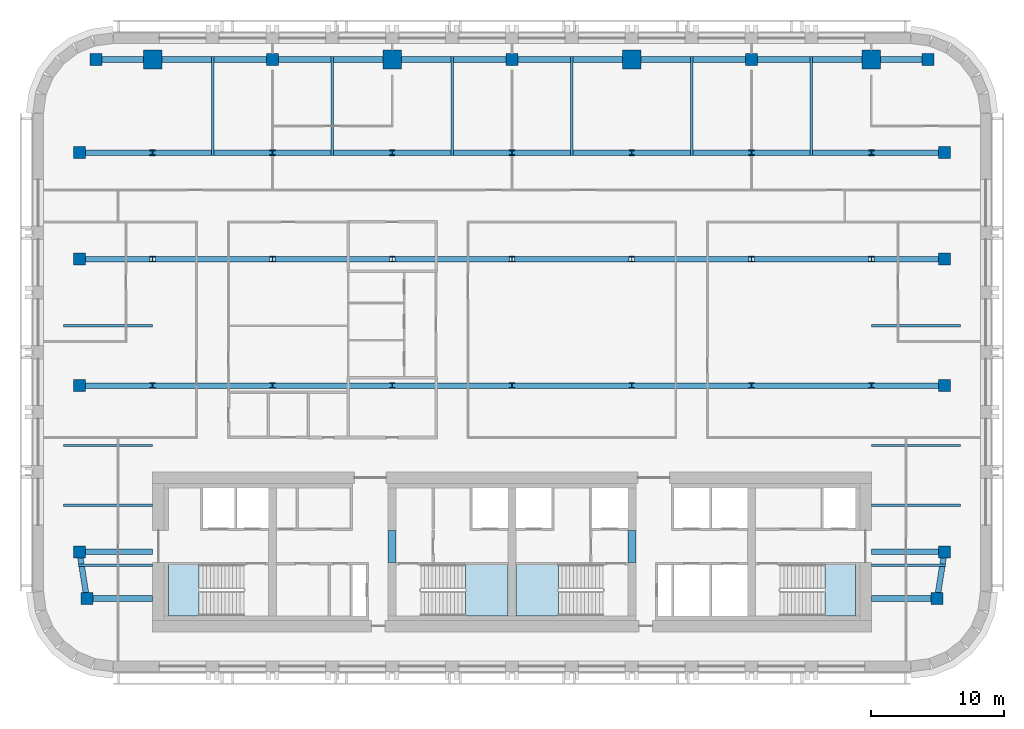
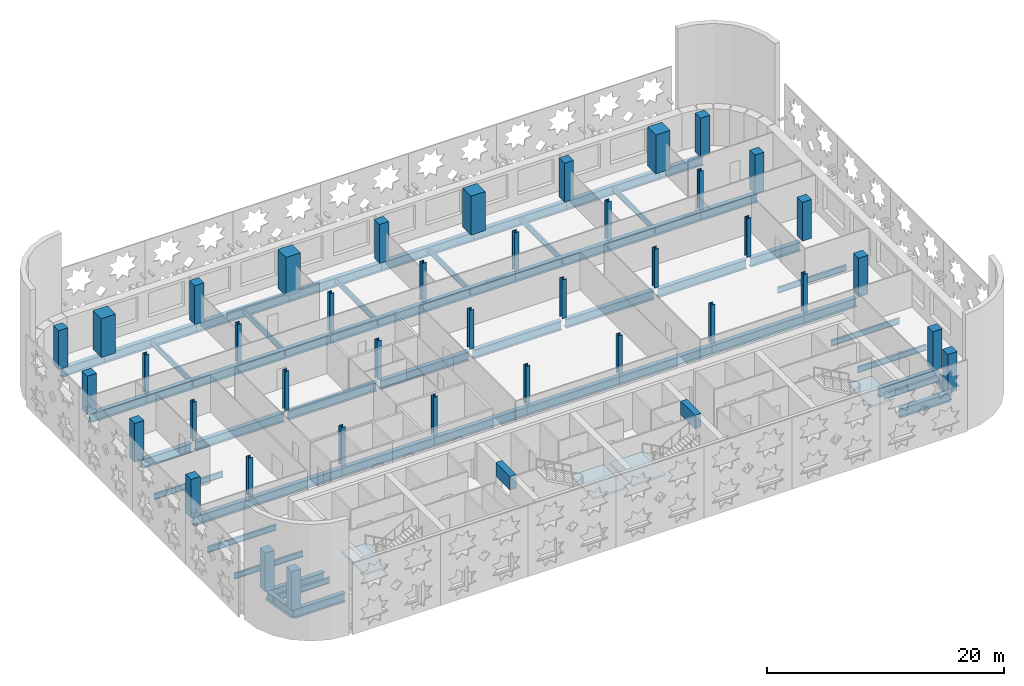
# One storey, part 1 of 14: 54 beams, 40 columns, 4 slabs, 4 elements without a shape of their own.
"""IFC4 building model written with IfcOpenShell, lengths in metres."""

from ifc_helpers import new_model, si_unit, direction, frame, origin, origin_2d, place, context, subcontext, project, spatial, polyline, rectangle, i_section, outline, extrude, material, layer, layer_set, material_profile, profile_set, type_object, element, aggregate, save


model = new_model("IFC4")

# Units and contexts
model_context = context("Model", 3, precision=1e-05, world=origin(), true_north=direction((0.0, 1.0)))
body_context = subcontext(model_context, "Body", "Model", "MODEL_VIEW")
ifc_project = project(units=[si_unit("LENGTHUNIT", "METRE"), si_unit("AREAUNIT", "SQUARE_METRE"), si_unit("VOLUMEUNIT", "CUBIC_METRE"), si_unit("PLANEANGLEUNIT", "RADIAN"), si_unit("MASSUNIT", "GRAM", prefix="KILO")], contexts=[model_context])

# Site, building, storey
site_placement = place(None, origin())
site = spatial("IfcSite", under=ifc_project, at=site_placement, CompositionType="ELEMENT")
building_placement = place(site_placement, origin())
building = spatial("IfcBuilding", under=site, at=building_placement, Name="Zellij Exchange Tower", CompositionType="ELEMENT")
storey_placement = place(building_placement, frame((0.0, 0.0, 164.5)))
storey = spatial("IfcBuildingStorey", under=building, at=storey_placement, Name="L37", CompositionType="ELEMENT", Elevation=164.5)

# Columns
ifc_material_1 = material(Name="Concrete C60/75", Category="concrete")
ifc_material_profile_1 = material_profile(ifc_material_1, rectangle(XDim=0.89990234375, YDim=0.89990234375, at=origin_2d()), Name="STR-COLUMN RC900x900 C60/75")
ifc_profile_set_1 = profile_set([ifc_material_profile_1], Name="Concrete C60/75")
column_type_1 = type_object("IfcColumnType", Name="STR-COLUMN RC900x900 C60/75", PredefinedType="COLUMN", material=ifc_profile_set_1)
for number, where, z_axis, x_axis, name in (
    (1, (-31.949951171875, -11.5, 0.0), (0.0, 0.0, 1.0), (1.0, 0.0, 0.0), "C16"),
    (2, (31.949951171875, -11.5, 0.0), (0.0, 0.0, 1.0), (1.0, 0.0, 0.0), "C16"),
    (3, (-32.5, -8.0, 0.0), (0.0, 0.0, 1.0), (1.0, 0.0, 0.0), "C16"),
    (4, (32.5, -8.0, 0.0), (0.0, 0.0, 1.0), (1.0, 0.0, 0.0), "C16"),
    (5, (-32.5, 4.5, 0.0), (0.0, 0.0, 1.0), (1.0, 0.0, 0.0), "C16"),
    (6, (32.5, 4.5, 0.0), (0.0, 0.0, 1.0), (1.0, 0.0, 0.0), "C16"),
    (7, (-32.5, 14.0, 0.0), (0.0, 0.0, 1.0), (1.0, 0.0, 0.0), "C16"),
    (8, (32.5, 14.0, 0.0), (0.0, 0.0, 1.0), (1.0, 0.0, 0.0), "C16"),
    (9, (-32.5, 22.0, 0.0), (0.0, 0.0, 1.0), (1.0, 0.0, 0.0), "C16"),
    (10, (32.5, 22.0, 0.0), (0.0, 0.0, 1.0), (1.0, 0.0, 0.0), "C16"),
    (11, (-31.25, 29.0, 0.0), (0.0, 0.0, 1.0), (1.0, 0.0, 0.0), "C16"),
    (12, (-18.0, 29.0, 0.0), (0.0, 0.0, 1.0), (1.0, 0.0, 0.0), "C16"),
    (13, (0.0, 29.0, 0.0), (0.0, 0.0, 1.0), (1.0, 0.0, 0.0), "C16"),
    (14, (18.0, 29.0, 0.0), (0.0, 0.0, 1.0), (1.0, 0.0, 0.0), "C16"),
    (15, (31.25, 29.0, 0.0), (0.0, 0.0, 1.0), (1.0, 0.0, 0.0), "C16"),
):
    element("IfcColumn", number, at=place(storey_placement, frame(where, z_axis=z_axis, x_axis=x_axis)), inside=storey, type_object=column_type_1, Name=name, PredefinedType="COLUMN", context=body_context, shape_type="SweptSolid", body=[
        extrude(rectangle(XDim=0.89990234375, YDim=0.89990234375, at=origin_2d()), origin(), (0.0, 0.0, 1.0), 4.0),
    ])
ifc_material_2 = material(Name="Structural steel ASTM A913 Gr 65", Category="steel")
ifc_material_profile_2 = material_profile(ifc_material_2, i_section(OverallWidth=0.408935546875, OverallDepth=0.424072265625, WebThickness=0.03271484375, FlangeThickness=0.052490234375, at=origin_2d()), Name="W14x283")
ifc_profile_set_2 = profile_set([ifc_material_profile_2], Name="Structural steel ASTM A913 Gr 65")
column_type_2 = type_object("IfcColumnType", Name="STR-COLUMN W14x283", PredefinedType="COLUMN", material=ifc_profile_set_2)
for number, where, z_axis, x_axis, name in (
    (16, (-27.0, 4.5, 0.0), (0.0, 0.0, 1.0), (1.0, 0.0, 0.0), "C3"),
    (17, (-18.0, 4.5, 0.0), (0.0, 0.0, 1.0), (1.0, 0.0, 0.0), "C3"),
    (18, (-9.0, 4.5, 0.0), (0.0, 0.0, 1.0), (1.0, 0.0, 0.0), "C3"),
    (19, (0.0, 4.5, 0.0), (0.0, 0.0, 1.0), (1.0, 0.0, 0.0), "C3"),
    (20, (9.0, 4.5, 0.0), (0.0, 0.0, 1.0), (1.0, 0.0, 0.0), "C3"),
    (21, (18.0, 4.5, 0.0), (0.0, 0.0, 1.0), (1.0, 0.0, 0.0), "C3"),
    (22, (27.0, 4.5, 0.0), (0.0, 0.0, 1.0), (1.0, 0.0, 0.0), "C3"),
    (23, (-27.0, 14.0, 0.0), (0.0, 0.0, 1.0), (1.0, 0.0, 0.0), "C3"),
    (24, (-18.0, 14.0, 0.0), (0.0, 0.0, 1.0), (1.0, 0.0, 0.0), "C3"),
    (25, (-9.0, 14.0, 0.0), (0.0, 0.0, 1.0), (1.0, 0.0, 0.0), "C3"),
    (26, (0.0, 14.0, 0.0), (0.0, 0.0, 1.0), (1.0, 0.0, 0.0), "C3"),
    (27, (9.0, 14.0, 0.0), (0.0, 0.0, 1.0), (1.0, 0.0, 0.0), "C3"),
    (28, (18.0, 14.0, 0.0), (0.0, 0.0, 1.0), (1.0, 0.0, 0.0), "C3"),
    (29, (27.0, 14.0, 0.0), (0.0, 0.0, 1.0), (1.0, 0.0, 0.0), "C3"),
    (30, (-27.0, 22.0, 0.0), (0.0, 0.0, 1.0), (1.0, 0.0, 0.0), "C3"),
    (31, (-18.0, 22.0, 0.0), (0.0, 0.0, 1.0), (1.0, 0.0, 0.0), "C3"),
    (32, (-9.0, 22.0, 0.0), (0.0, 0.0, 1.0), (1.0, 0.0, 0.0), "C3"),
    (33, (0.0, 22.0, 0.0), (0.0, 0.0, 1.0), (1.0, 0.0, 0.0), "C3"),
    (34, (9.0, 22.0, 0.0), (0.0, 0.0, 1.0), (1.0, 0.0, 0.0), "C3"),
    (35, (18.0, 22.0, 0.0), (0.0, 0.0, 1.0), (1.0, 0.0, 0.0), "C3"),
    (36, (27.0, 22.0, 0.0), (0.0, 0.0, 1.0), (1.0, 0.0, 0.0), "C3"),
):
    element("IfcColumn", number, at=place(storey_placement, frame(where, z_axis=z_axis, x_axis=x_axis)), inside=storey, type_object=column_type_2, Name=name, PredefinedType="COLUMN", context=body_context, shape_type="SweptSolid", body=[
        extrude(i_section(OverallWidth=0.408935546875, OverallDepth=0.424072265625, WebThickness=0.03271484375, FlangeThickness=0.052490234375, at=origin_2d()), origin(), (0.0, 0.0, 1.0), 4.0),
    ])
ifc_material_profile_3 = material_profile(ifc_material_1, rectangle(XDim=1.39990234375, YDim=1.39990234375, at=origin_2d()), Name="STR-MEGA COLUMN RC1400x1400 C60/75")
ifc_profile_set_3 = profile_set([ifc_material_profile_3], Name="Concrete C60/75")
column_type_3 = type_object("IfcColumnType", Name="STR-MEGA COLUMN RC1400x1400 C60/75", PredefinedType="COLUMN", material=ifc_profile_set_3)
for number, where, z_axis, x_axis, name in (
    (37, (-27.0, 29.0, 0.0), (0.0, 0.0, 1.0), (1.0, 0.0, 0.0), "MC3"),
    (38, (-9.0, 29.0, 0.0), (0.0, 0.0, 1.0), (1.0, 0.0, 0.0), "MC3"),
    (39, (9.0, 29.0, 0.0), (0.0, 0.0, 1.0), (1.0, 0.0, 0.0), "MC3"),
    (40, (27.0, 29.0, 0.0), (0.0, 0.0, 1.0), (1.0, 0.0, 0.0), "MC3"),
):
    element("IfcColumn", number, at=place(storey_placement, frame(where, z_axis=z_axis, x_axis=x_axis)), inside=storey, type_object=column_type_3, Name=name, PredefinedType="COLUMN", context=body_context, shape_type="SweptSolid", body=[
        extrude(rectangle(XDim=1.39990234375, YDim=1.39990234375, at=origin_2d()), origin(), (0.0, 0.0, 1.0), 4.0),
    ])

# Beams
ifc_material_profile_4 = material_profile(ifc_material_1, rectangle(XDim=0.60009765625, YDim=1.39990234375, at=origin_2d()), Name="CORE-CB 600x1400 C60/75")
ifc_profile_set_4 = profile_set([ifc_material_profile_4], Name="Concrete C60/75")
beam_type_1 = type_object("IfcBeamType", Name="CORE-CB 600x1400 C60/75", PredefinedType="BEAM", material=ifc_profile_set_4)
for number, where, z_axis, x_axis, name in (
    (41, (-9.0, -8.800048828125, 3.10009765625), (0.0, 1.0, 0.0), (-1.0, 0.0, 0.0), "Core coupling beam x -9 L37"),
    (42, (9.0, -8.800048828125, 3.10009765625), (0.0, 1.0, 0.0), (-1.0, 0.0, 0.0), "Core coupling beam x 9 L37"),
):
    element("IfcBeam", number, at=place(storey_placement, frame(where, z_axis=z_axis, x_axis=x_axis)), inside=storey, type_object=beam_type_1, Name=name, PredefinedType="BEAM", context=body_context, shape_type="SweptSolid", body=[
        extrude(rectangle(XDim=0.60009765625, YDim=1.39990234375, at=origin_2d()), origin(), (0.0, 0.0, 1.0), 2.425048828125),
    ])
ifc_material_3 = material(Name="Structural steel ASTM A992 Gr 50", Category="steel")
ifc_material_profile_5 = material_profile(ifc_material_3, i_section(OverallWidth=0.177978515625, OverallDepth=0.599365234375, WebThickness=0.010009765625, FlangeThickness=0.012939453125, at=origin_2d()), Name="W24x55")
ifc_profile_set_5 = profile_set([ifc_material_profile_5], Name="Structural steel ASTM A992 Gr 50")
beam_type_2 = type_object("IfcBeamType", Name="STR-BEAM W24x55", PredefinedType="BEAM", material=ifc_profile_set_5)
for number, where, z_axis, x_axis, name in (
    (43, (-22.5, 21.787841796875, -0.499755859375), (0.0, 1.0, 0.0), (-1.0, 0.0, 0.0), "B4"),
    (44, (-13.5, 21.787841796875, -0.499755859375), (0.0, 1.0, 0.0), (-1.0, 0.0, 0.0), "B4"),
    (45, (-4.5, 21.787841796875, -0.499755859375), (0.0, 1.0, 0.0), (-1.0, 0.0, 0.0), "B4"),
    (46, (4.5, 21.787841796875, -0.499755859375), (0.0, 1.0, 0.0), (-1.0, 0.0, 0.0), "B4"),
    (47, (13.5, 21.787841796875, -0.499755859375), (0.0, 1.0, 0.0), (-1.0, 0.0, 0.0), "B4"),
    (48, (22.5, 21.787841796875, -0.499755859375), (0.0, 1.0, 0.0), (-1.0, 0.0, 0.0), "B4"),
):
    element("IfcBeam", number, at=place(storey_placement, frame(where, z_axis=z_axis, x_axis=x_axis)), inside=storey, type_object=beam_type_2, Name=name, PredefinedType="BEAM", context=body_context, shape_type="SweptSolid", body=[
        extrude(i_section(OverallWidth=0.177978515625, OverallDepth=0.599365234375, WebThickness=0.010009765625, FlangeThickness=0.012939453125, at=origin_2d()), origin(), (0.0, 0.0, 1.0), 7.42431640625),
    ])
beam_1_placement = place(storey_placement, frame((-32.5576171875, -9.0, -0.499755859375), z_axis=(1.0, 0.0, 0.0), x_axis=(0.0, 1.0, 0.0)))
element("IfcBeam", 49, at=beam_1_placement, inside=storey, type_object=beam_type_2, Name="B4", PredefinedType="BEAM", context=body_context, shape_type="SweptSolid", body=[
    extrude(i_section(OverallWidth=0.177978515625, OverallDepth=0.599365234375, WebThickness=0.010009765625, FlangeThickness=0.012939453125, at=origin_2d()), origin(), (0.0, 0.0, 1.0), 5.5576171875),
])
for number, where, z_axis, x_axis, name in (
    (50, (-33.699951171875, -4.5, -0.499755859375), (1.0, 0.0, 0.0), (0.0, 1.0, 0.0), "B4"),
    (51, (-33.699951171875, 0.0, -0.499755859375), (1.0, 0.0, 0.0), (0.0, 1.0, 0.0), "B4"),
    (52, (-33.699951171875, 9.0, -0.499755859375), (1.0, 0.0, 0.0), (0.0, 1.0, 0.0), "B4"),
):
    element("IfcBeam", number, at=place(storey_placement, frame(where, z_axis=z_axis, x_axis=x_axis)), inside=storey, type_object=beam_type_2, Name=name, PredefinedType="BEAM", context=body_context, shape_type="SweptSolid", body=[
        extrude(i_section(OverallWidth=0.177978515625, OverallDepth=0.599365234375, WebThickness=0.010009765625, FlangeThickness=0.012939453125, at=origin_2d()), origin(), (0.0, 0.0, 1.0), 6.699951171875),
    ])
beam_2_placement = place(storey_placement, frame((27.0, -9.0, -0.499755859375), z_axis=(1.0, 0.0, 0.0), x_axis=(0.0, 1.0, 0.0)))
element("IfcBeam", 53, at=beam_2_placement, inside=storey, type_object=beam_type_2, Name="B4", PredefinedType="BEAM", context=body_context, shape_type="SweptSolid", body=[
    extrude(i_section(OverallWidth=0.177978515625, OverallDepth=0.599365234375, WebThickness=0.010009765625, FlangeThickness=0.012939453125, at=origin_2d()), origin(), (0.0, 0.0, 1.0), 5.5576171875),
])
for number, where, z_axis, x_axis, name in (
    (54, (27.0, -4.5, -0.499755859375), (1.0, 0.0, 0.0), (0.0, 1.0, 0.0), "B4"),
    (55, (27.0, 0.0, -0.499755859375), (1.0, 0.0, 0.0), (0.0, 1.0, 0.0), "B4"),
    (56, (27.0, 9.0, -0.499755859375), (1.0, 0.0, 0.0), (0.0, 1.0, 0.0), "B4"),
):
    element("IfcBeam", number, at=place(storey_placement, frame(where, z_axis=z_axis, x_axis=x_axis)), inside=storey, type_object=beam_type_2, Name=name, PredefinedType="BEAM", context=body_context, shape_type="SweptSolid", body=[
        extrude(i_section(OverallWidth=0.177978515625, OverallDepth=0.599365234375, WebThickness=0.010009765625, FlangeThickness=0.012939453125, at=origin_2d()), origin(), (0.0, 0.0, 1.0), 6.699951171875),
    ])
ifc_material_profile_6 = material_profile(ifc_material_2, i_section(OverallWidth=0.424072265625, OverallDepth=0.93212890625, WebThickness=0.02392578125, FlangeThickness=0.042724609375, at=origin_2d()), Name="W36x300")
ifc_profile_set_6 = profile_set([ifc_material_profile_6], Name="Structural steel ASTM A913 Gr 65")
beam_type_3 = type_object("IfcBeamType", Name="STR-EDGE GIRDER W36x300", PredefinedType="BEAM", material=ifc_profile_set_6)
for number, where, z_axis, x_axis, name in (
    (57, (-31.949951171875, -11.5, -0.666015625), (-0.155251283593, 0.987875011802, 0.0), (-0.987875011802, -0.155251283593, 0.0), "EG5"),
    (58, (31.949951171875, -11.5, -0.666015625), (0.155251283593, 0.987875011802, 0.0), (-0.987875011802, 0.155251283593, 0.0), "EG5"),
):
    element("IfcBeam", number, at=place(storey_placement, frame(where, z_axis=z_axis, x_axis=x_axis)), inside=storey, type_object=beam_type_3, Name=name, PredefinedType="BEAM", context=body_context, shape_type="SweptSolid", body=[
        extrude(i_section(OverallWidth=0.424072265625, OverallDepth=0.93212890625, WebThickness=0.02392578125, FlangeThickness=0.042724609375, at=origin_2d()), origin(), (0.0, 0.0, 1.0), 3.54296875),
    ])
ifc_material_profile_7 = material_profile(ifc_material_2, i_section(OverallWidth=0.424072265625, OverallDepth=0.93212890625, WebThickness=0.02392578125, FlangeThickness=0.042724609375, at=origin_2d()), Name="W36x300")
ifc_profile_set_7 = profile_set([ifc_material_profile_7], Name="Structural steel ASTM A913 Gr 65")
beam_type_4 = type_object("IfcBeamType", Name="STR-GIRDER W36x300", PredefinedType="BEAM", material=ifc_profile_set_7)
for number, where, z_axis, x_axis, name in (
    (59, (-31.949951171875, -11.5, -0.666015625), (1.0, 0.0, 0.0), (0.0, 1.0, 0.0), "G5"),
    (60, (27.0, -11.5, -0.666015625), (1.0, 0.0, 0.0), (0.0, 1.0, 0.0), "G5"),
):
    element("IfcBeam", number, at=place(storey_placement, frame(where, z_axis=z_axis, x_axis=x_axis)), inside=storey, type_object=beam_type_4, Name=name, PredefinedType="BEAM", context=body_context, shape_type="SweptSolid", body=[
        extrude(i_section(OverallWidth=0.424072265625, OverallDepth=0.93212890625, WebThickness=0.02392578125, FlangeThickness=0.042724609375, at=origin_2d()), origin(), (0.0, 0.0, 1.0), 4.949951171875),
    ])
for number, where, z_axis, x_axis, name in (
    (61, (-32.5, -8.0, -0.666015625), (1.0, 0.0, 0.0), (0.0, 1.0, 0.0), "G5"),
    (62, (27.0, -8.0, -0.666015625), (1.0, 0.0, 0.0), (0.0, 1.0, 0.0), "G5"),
    (63, (-32.5, 4.5, -0.666015625), (1.0, 0.0, 0.0), (0.0, 1.0, 0.0), "G5"),
):
    element("IfcBeam", number, at=place(storey_placement, frame(where, z_axis=z_axis, x_axis=x_axis)), inside=storey, type_object=beam_type_4, Name=name, PredefinedType="BEAM", context=body_context, shape_type="SweptSolid", body=[
        extrude(i_section(OverallWidth=0.424072265625, OverallDepth=0.93212890625, WebThickness=0.02392578125, FlangeThickness=0.042724609375, at=origin_2d()), origin(), (0.0, 0.0, 1.0), 5.5),
    ])
for number, where, z_axis, x_axis, name in (
    (64, (-27.0, 4.5, -0.666015625), (1.0, 0.0, 0.0), (0.0, 1.0, 0.0), "G5"),
    (65, (-18.0, 4.5, -0.666015625), (1.0, 0.0, 0.0), (0.0, 1.0, 0.0), "G5"),
    (66, (-9.0, 4.5, -0.666015625), (1.0, 0.0, 0.0), (0.0, 1.0, 0.0), "G5"),
    (67, (0.0, 4.5, -0.666015625), (1.0, 0.0, 0.0), (0.0, 1.0, 0.0), "G5"),
    (68, (9.0, 4.5, -0.666015625), (1.0, 0.0, 0.0), (0.0, 1.0, 0.0), "G5"),
    (69, (18.0, 4.5, -0.666015625), (1.0, 0.0, 0.0), (0.0, 1.0, 0.0), "G5"),
):
    element("IfcBeam", number, at=place(storey_placement, frame(where, z_axis=z_axis, x_axis=x_axis)), inside=storey, type_object=beam_type_4, Name=name, PredefinedType="BEAM", context=body_context, shape_type="SweptSolid", body=[
        extrude(i_section(OverallWidth=0.424072265625, OverallDepth=0.93212890625, WebThickness=0.02392578125, FlangeThickness=0.042724609375, at=origin_2d()), origin(), (0.0, 0.0, 1.0), 9.0),
    ])
beam_3_placement = place(storey_placement, frame((27.0, 4.5, -0.666015625), z_axis=(1.0, 0.0, 0.0), x_axis=(0.0, 1.0, 0.0)))
element("IfcBeam", 70, at=beam_3_placement, inside=storey, type_object=beam_type_4, Name="G5", PredefinedType="BEAM", context=body_context, shape_type="SweptSolid", body=[
    extrude(i_section(OverallWidth=0.424072265625, OverallDepth=0.93212890625, WebThickness=0.02392578125, FlangeThickness=0.042724609375, at=origin_2d()), origin(), (0.0, 0.0, 1.0), 5.050048828125),
])
beam_4_placement = place(storey_placement, frame((-32.050048828125, 14.0, -0.666015625), z_axis=(1.0, 0.0, 0.0), x_axis=(0.0, 1.0, 0.0)))
element("IfcBeam", 71, at=beam_4_placement, inside=storey, type_object=beam_type_4, Name="G5", PredefinedType="BEAM", context=body_context, shape_type="SweptSolid", body=[
    extrude(i_section(OverallWidth=0.424072265625, OverallDepth=0.93212890625, WebThickness=0.02392578125, FlangeThickness=0.042724609375, at=origin_2d()), origin(), (0.0, 0.0, 1.0), 4.845458984375),
])
for number, where, z_axis, x_axis, name in (
    (72, (-26.79541015625, 14.0, -0.666015625), (1.0, 0.0, 0.0), (0.0, 1.0, 0.0), "G5"),
    (73, (-17.79541015625, 14.0, -0.666015625), (1.0, 0.0, 0.0), (0.0, 1.0, 0.0), "G5"),
    (74, (-8.79541015625, 14.0, -0.666015625), (1.0, 0.0, 0.0), (0.0, 1.0, 0.0), "G5"),
    (75, (0.20458984375, 14.0, -0.666015625), (1.0, 0.0, 0.0), (0.0, 1.0, 0.0), "G5"),
    (76, (9.20458984375, 14.0, -0.666015625), (1.0, 0.0, 0.0), (0.0, 1.0, 0.0), "G5"),
    (77, (18.20458984375, 14.0, -0.666015625), (1.0, 0.0, 0.0), (0.0, 1.0, 0.0), "G5"),
):
    element("IfcBeam", number, at=place(storey_placement, frame(where, z_axis=z_axis, x_axis=x_axis)), inside=storey, type_object=beam_type_4, Name=name, PredefinedType="BEAM", context=body_context, shape_type="SweptSolid", body=[
        extrude(i_section(OverallWidth=0.424072265625, OverallDepth=0.93212890625, WebThickness=0.02392578125, FlangeThickness=0.042724609375, at=origin_2d()), origin(), (0.0, 0.0, 1.0), 8.5908203125),
    ])
beam_5_placement = place(storey_placement, frame((27.20458984375, 14.0, -0.666015625), z_axis=(1.0, 0.0, 0.0), x_axis=(0.0, 1.0, 0.0)))
element("IfcBeam", 78, at=beam_5_placement, inside=storey, type_object=beam_type_4, Name="G5", PredefinedType="BEAM", context=body_context, shape_type="SweptSolid", body=[
    extrude(i_section(OverallWidth=0.424072265625, OverallDepth=0.93212890625, WebThickness=0.02392578125, FlangeThickness=0.042724609375, at=origin_2d()), origin(), (0.0, 0.0, 1.0), 4.845458984375),
])
beam_6_placement = place(storey_placement, frame((-32.5, 22.0, -0.666015625), z_axis=(1.0, 0.0, 0.0), x_axis=(0.0, 1.0, 0.0)))
element("IfcBeam", 79, at=beam_6_placement, inside=storey, type_object=beam_type_4, Name="G5", PredefinedType="BEAM", context=body_context, shape_type="SweptSolid", body=[
    extrude(i_section(OverallWidth=0.424072265625, OverallDepth=0.93212890625, WebThickness=0.02392578125, FlangeThickness=0.042724609375, at=origin_2d()), origin(), (0.0, 0.0, 1.0), 5.5),
])
for number, where, z_axis, x_axis, name in (
    (80, (-27.0, 22.0, -0.666015625), (1.0, 0.0, 0.0), (0.0, 1.0, 0.0), "G5"),
    (81, (-18.0, 22.0, -0.666015625), (1.0, 0.0, 0.0), (0.0, 1.0, 0.0), "G5"),
    (82, (-9.0, 22.0, -0.666015625), (1.0, 0.0, 0.0), (0.0, 1.0, 0.0), "G5"),
    (83, (0.0, 22.0, -0.666015625), (1.0, 0.0, 0.0), (0.0, 1.0, 0.0), "G5"),
    (84, (9.0, 22.0, -0.666015625), (1.0, 0.0, 0.0), (0.0, 1.0, 0.0), "G5"),
    (85, (18.0, 22.0, -0.666015625), (1.0, 0.0, 0.0), (0.0, 1.0, 0.0), "G5"),
):
    element("IfcBeam", number, at=place(storey_placement, frame(where, z_axis=z_axis, x_axis=x_axis)), inside=storey, type_object=beam_type_4, Name=name, PredefinedType="BEAM", context=body_context, shape_type="SweptSolid", body=[
        extrude(i_section(OverallWidth=0.424072265625, OverallDepth=0.93212890625, WebThickness=0.02392578125, FlangeThickness=0.042724609375, at=origin_2d()), origin(), (0.0, 0.0, 1.0), 9.0),
    ])
beam_7_placement = place(storey_placement, frame((27.0, 22.0, -0.666015625), z_axis=(1.0, 0.0, 0.0), x_axis=(0.0, 1.0, 0.0)))
element("IfcBeam", 86, at=beam_7_placement, inside=storey, type_object=beam_type_4, Name="G5", PredefinedType="BEAM", context=body_context, shape_type="SweptSolid", body=[
    extrude(i_section(OverallWidth=0.424072265625, OverallDepth=0.93212890625, WebThickness=0.02392578125, FlangeThickness=0.042724609375, at=origin_2d()), origin(), (0.0, 0.0, 1.0), 5.5),
])
beam_8_placement = place(storey_placement, frame((-31.25, 29.0, -0.666015625), z_axis=(1.0, 0.0, 0.0), x_axis=(0.0, 1.0, 0.0)))
element("IfcBeam", 87, at=beam_8_placement, inside=storey, type_object=beam_type_4, Name="G5", PredefinedType="BEAM", context=body_context, shape_type="SweptSolid", body=[
    extrude(i_section(OverallWidth=0.424072265625, OverallDepth=0.93212890625, WebThickness=0.02392578125, FlangeThickness=0.042724609375, at=origin_2d()), origin(), (0.0, 0.0, 1.0), 4.25),
])
for number, where, z_axis, x_axis, name in (
    (88, (-27.0, 29.0, -0.666015625), (1.0, 0.0, 0.0), (0.0, 1.0, 0.0), "G5"),
    (89, (-18.0, 29.0, -0.666015625), (1.0, 0.0, 0.0), (0.0, 1.0, 0.0), "G5"),
    (90, (-9.0, 29.0, -0.666015625), (1.0, 0.0, 0.0), (0.0, 1.0, 0.0), "G5"),
    (91, (0.0, 29.0, -0.666015625), (1.0, 0.0, 0.0), (0.0, 1.0, 0.0), "G5"),
    (92, (9.0, 29.0, -0.666015625), (1.0, 0.0, 0.0), (0.0, 1.0, 0.0), "G5"),
    (93, (18.0, 29.0, -0.666015625), (1.0, 0.0, 0.0), (0.0, 1.0, 0.0), "G5"),
):
    element("IfcBeam", number, at=place(storey_placement, frame(where, z_axis=z_axis, x_axis=x_axis)), inside=storey, type_object=beam_type_4, Name=name, PredefinedType="BEAM", context=body_context, shape_type="SweptSolid", body=[
        extrude(i_section(OverallWidth=0.424072265625, OverallDepth=0.93212890625, WebThickness=0.02392578125, FlangeThickness=0.042724609375, at=origin_2d()), origin(), (0.0, 0.0, 1.0), 9.0),
    ])
beam_9_placement = place(storey_placement, frame((27.0, 29.0, -0.666015625), z_axis=(1.0, 0.0, 0.0), x_axis=(0.0, 1.0, 0.0)))
element("IfcBeam", 94, at=beam_9_placement, inside=storey, type_object=beam_type_4, Name="G5", PredefinedType="BEAM", context=body_context, shape_type="SweptSolid", body=[
    extrude(i_section(OverallWidth=0.424072265625, OverallDepth=0.93212890625, WebThickness=0.02392578125, FlangeThickness=0.042724609375, at=origin_2d()), origin(), (0.0, 0.0, 1.0), 4.25),
])

# Stair, slab
ifc_material_4 = material(Name="Concrete C40/50", Category="concrete")
stair_type = type_object("IfcStairType", Name="CORE-ST exit stair 1850 wide", PredefinedType="HALF_TURN_STAIR", material=ifc_material_4)
stair_1_placement = place(storey_placement, origin())
stair_1 = element("IfcStair", 95, at=stair_1_placement, inside=storey, type_object=stair_type, Name="L37 exit stair ST1", PredefinedType="HALF_TURN_STAIR")
ifc_layer = layer(ifc_material_4, 0.199951171875)
ifc_layer_set = layer_set([ifc_layer], Name="Concrete C40/50")
slab_type = type_object("IfcSlabType", Name="CORE-SL stair landing 200", PredefinedType="LANDING", material=ifc_layer_set)
slab_1_placement = place(storey_placement, frame((0.0, 0.0, 1.800048828125)))
slab_1 = element("IfcSlab", 96, at=slab_1_placement, type_object=slab_type, Name="ST1 landing 1", PredefinedType="LANDING", context=body_context, shape_type="SweptSolid", body=[
    extrude(outline(polyline([(-23.510009765625, -8.949951171875), (-25.800048828125, -8.949951171875), (-25.800048828125, -12.800048828125), (-23.510009765625, -12.800048828125), (-23.510009765625, -8.949951171875)])), origin(), (0.0, 0.0, 1.0), 0.199951171875),
])
aggregate(stair_1, [slab_1])

stair_2_placement = place(storey_placement, origin())
stair_2 = element("IfcStair", 97, at=stair_2_placement, inside=storey, type_object=stair_type, Name="L37 exit stair ST2", PredefinedType="HALF_TURN_STAIR")
slab_2_placement = place(storey_placement, frame((0.0, 0.0, 1.800048828125)))
slab_2 = element("IfcSlab", 98, at=slab_2_placement, type_object=slab_type, Name="ST2 landing 1", PredefinedType="LANDING", context=body_context, shape_type="SweptSolid", body=[
    extrude(outline(polyline([(-3.489990234375, -12.800048828125), (-0.300048828125, -12.800048828125), (-0.300048828125, -8.949951171875), (-3.489990234375, -8.949951171875), (-3.489990234375, -12.800048828125)])), origin(), (0.0, 0.0, 1.0), 0.199951171875),
])
aggregate(stair_2, [slab_2])

stair_3_placement = place(storey_placement, origin())
stair_3 = element("IfcStair", 99, at=stair_3_placement, inside=storey, type_object=stair_type, Name="L37 exit stair ST3", PredefinedType="HALF_TURN_STAIR")
slab_3_placement = place(storey_placement, frame((0.0, 0.0, 1.800048828125)))
slab_3 = element("IfcSlab", 100, at=slab_3_placement, type_object=slab_type, Name="ST3 landing 1", PredefinedType="LANDING", context=body_context, shape_type="SweptSolid", body=[
    extrude(outline(polyline([(3.489990234375, -8.949951171875), (0.300048828125, -8.949951171875), (0.300048828125, -12.800048828125), (3.489990234375, -12.800048828125), (3.489990234375, -8.949951171875)])), origin(), (0.0, 0.0, 1.0), 0.199951171875),
])
aggregate(stair_3, [slab_3])

stair_4_placement = place(storey_placement, origin())
stair_4 = element("IfcStair", 101, at=stair_4_placement, inside=storey, type_object=stair_type, Name="L37 exit stair ST4", PredefinedType="HALF_TURN_STAIR")
slab_4_placement = place(storey_placement, frame((0.0, 0.0, 1.800048828125)))
slab_4 = element("IfcSlab", 102, at=slab_4_placement, type_object=slab_type, Name="ST4 landing 1", PredefinedType="LANDING", context=body_context, shape_type="SweptSolid", body=[
    extrude(outline(polyline([(23.510009765625, -12.800048828125), (25.800048828125, -12.800048828125), (25.800048828125, -8.949951171875), (23.510009765625, -8.949951171875), (23.510009765625, -12.800048828125)])), origin(), (0.0, 0.0, 1.0), 0.199951171875),
])
aggregate(stair_4, [slab_4])

save(model, "model.ifc")
